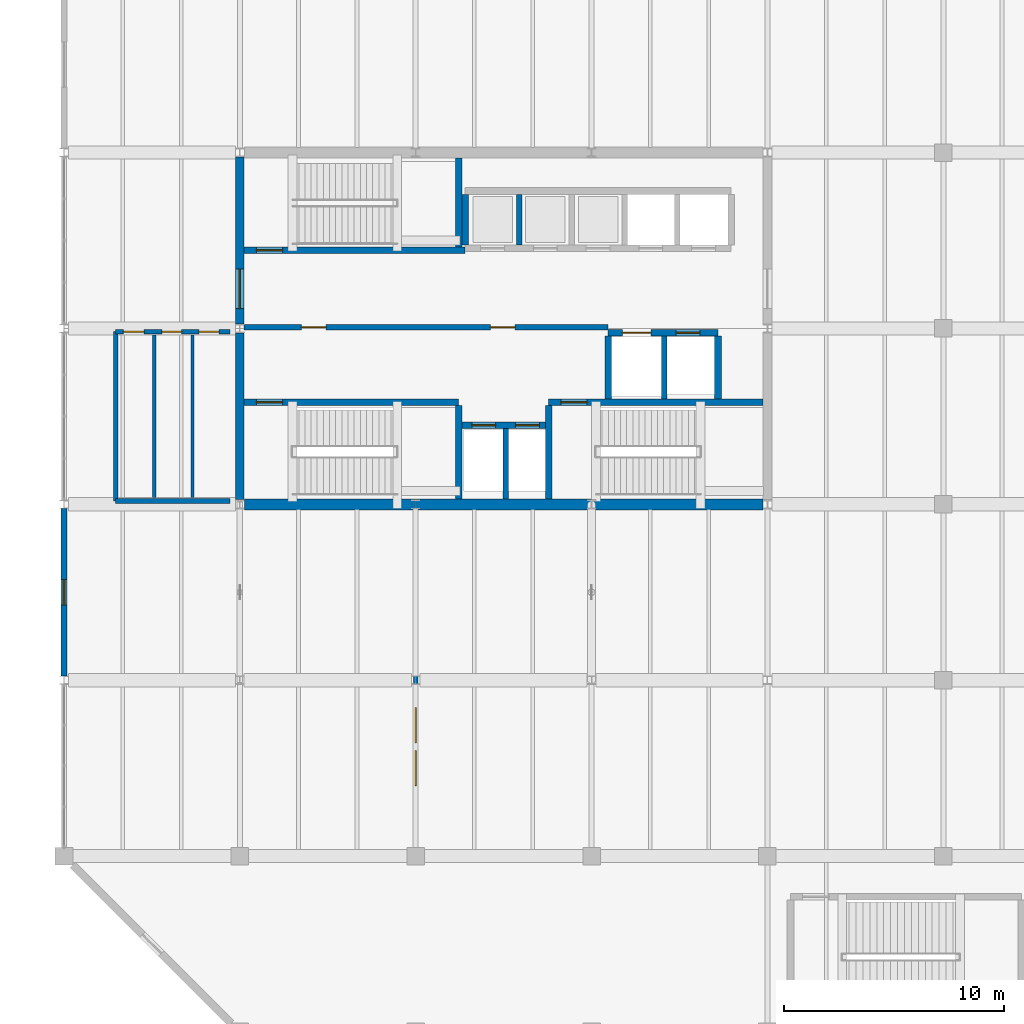
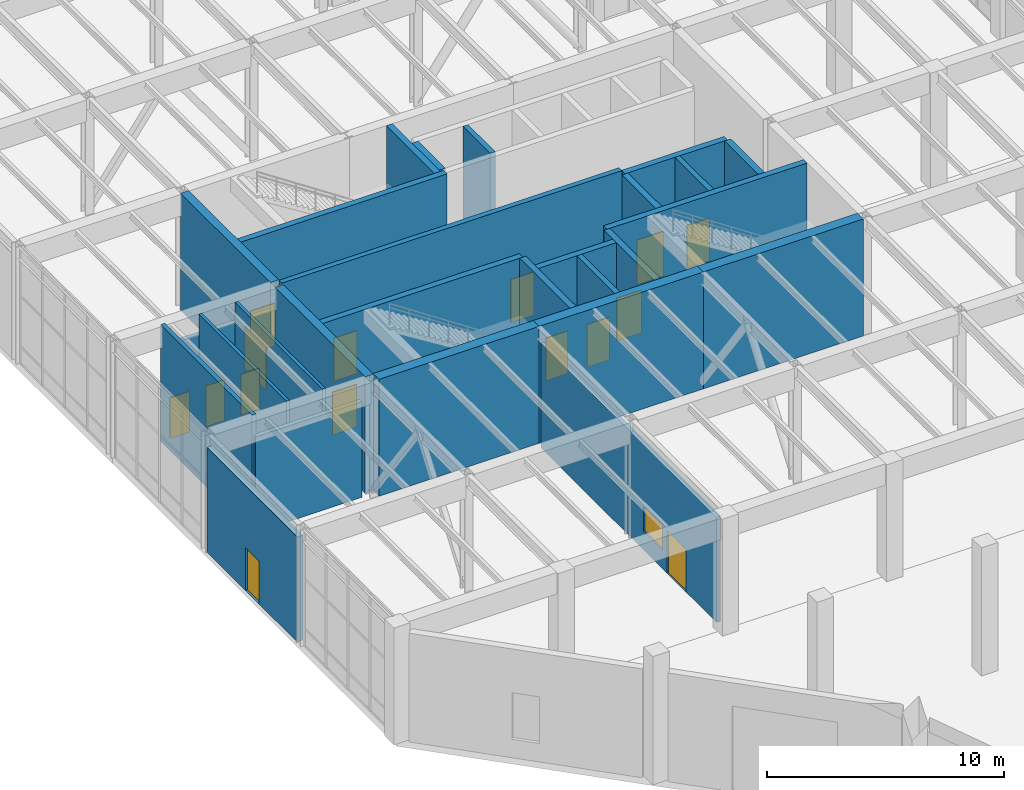
# One storey, part 34 of 51: 27 walls, 15 doors, 1 window, 16 openings.
"""IFC4 building model written with IfcOpenShell, lengths in metres."""

from ifc_helpers import new_model, si_unit, direction, frame, frame_2d, origin, place, context, subcontext, project, spatial, rectangle, extrude, material, layer, layer_set, type_object, element, fill, save


model = new_model("IFC4")

# Units and contexts
model_context = context("Model", 3, precision=1e-05, world=origin(), true_north=direction((0.0, 1.0)))
body_context = subcontext(model_context, "Body", "Model", "MODEL_VIEW")
ifc_project = project(units=[si_unit("LENGTHUNIT", "METRE"), si_unit("AREAUNIT", "SQUARE_METRE"), si_unit("VOLUMEUNIT", "CUBIC_METRE"), si_unit("PLANEANGLEUNIT", "RADIAN"), si_unit("MASSUNIT", "GRAM", prefix="KILO")], contexts=[model_context])

# Site, building, storey
site_placement = place(None, origin())
site = spatial("IfcSite", under=ifc_project, at=site_placement, CompositionType="ELEMENT")
building_placement = place(site_placement, origin())
building = spatial("IfcBuilding", under=site, at=building_placement, Name="Varnela Railside Interchange", CompositionType="ELEMENT")
storey_placement = place(building_placement, origin())
storey = spatial("IfcBuildingStorey", under=building, at=storey_placement, Name="L00", CompositionType="ELEMENT", Elevation=0.0)

# Walls
ifc_material_1 = material(Name="Gypsum acoustic board")
ifc_layer_1 = layer(ifc_material_1, 0.14990234375)
ifc_layer_set_1 = layer_set([ifc_layer_1], Name="Gypsum acoustic board")
wall_type_1 = type_object("IfcWallType", Name="Acoustic Drywall Partition IW-01", PredefinedType="PARTITIONING", material=ifc_layer_set_1)
for number, where, z_axis, x_axis, name in (
    (1, (8.10009765625, 54.300048828125, 0.0), (0.0, 0.0, 1.0), (0.0, 1.0, 0.0), "Acoustic Drywall Partition IW-01 (L00) (WL-0409)"),
    (2, (9.85009765625, 54.300048828125, 0.0), (0.0, 0.0, 1.0), (0.0, 1.0, 0.0), "Acoustic Drywall Partition IW-01 (L00) (WL-0410)"),
):
    element("IfcWall", number, at=place(storey_placement, frame(where, z_axis=z_axis, x_axis=x_axis)), inside=storey, type_object=wall_type_1, Name=name, PredefinedType="PARTITIONING", context=body_context, shape_type="SweptSolid", body=[
        extrude(rectangle(XDim=7.39990234375, YDim=0.14990234375, at=frame_2d((3.699951171875, 0.0))), origin(), (0.0, 0.0, 1.0), 6.02001953125),
    ])
ifc_material_2 = material(Name="Concrete C50", Category="concrete")
ifc_layer_2 = layer(ifc_material_2, 0.39990234375)
ifc_layer_set_2 = layer_set([ifc_layer_2], Name="Concrete C50")
wall_type_2 = type_object("IfcWallType", Name="Core Coupling Shear Wall SW-02", PredefinedType="SHEAR", material=ifc_layer_set_2)
wall_1_placement = place(storey_placement, frame((12.0, 54.2080078125, 0.0), z_axis=(0.0, 0.0, 1.0), x_axis=(0.0, 1.0, 0.0)))
element("IfcWall", 3, at=wall_1_placement, inside=storey, type_object=wall_type_2, Name="Core Coupling Shear Wall SW-02 (L00) (WL-0339)", PredefinedType="SHEAR", context=body_context, shape_type="SweptSolid", body=[
    extrude(rectangle(XDim=7.583984375, YDim=0.39990234375, at=frame_2d((3.7919921875, 0.0))), origin(), (0.0, 0.0, 1.0), 6.02001953125),
])

# Wall, opening, door
wall_2_placement = place(storey_placement, frame((12.0, 62.2080078125, 0.0), z_axis=(0.0, 0.0, 1.0), x_axis=(0.0, 1.0, 0.0)))
wall_2 = element("IfcWall", 4, at=wall_2_placement, inside=storey, type_object=wall_type_2, Name="Core Coupling Shear Wall SW-02 (L00) (WL-0340)", PredefinedType="SHEAR", context=body_context, shape_type="SweptSolid", body=[
    extrude(rectangle(XDim=7.583984375, YDim=0.39990234375, at=frame_2d((3.7919921875, 0.0))), origin(), (0.0, 0.0, 1.0), 6.02001953125),
])
opening_1_placement = place(wall_2_placement, frame((0.69189453125, 0.0, 0.0)))
opening_1 = element("IfcOpeningElement", 5, at=opening_1_placement, cuts=wall_2, Name="Opening D-153", PredefinedType="OPENING", context=body_context, shape_type="SweptSolid", body=[
    extrude(rectangle(XDim=1.800048828125, YDim=2.199951171875, at=frame_2d((0.89990234375, 1.10009765625))), frame((0.0, 0.2099609375, 0.0), z_axis=(0.0, -1.0, 0.0), x_axis=(1.0, 0.0, 0.0)), (0.0, 0.0, 1.0), 0.419921875),
])
ifc_material_3 = material(Name="Steel AR 350 (350 MPa)", Category="steel")
door_type_1 = type_object("IfcDoorType", Name="DR-DBL-1800-FD60", OperationType="DOUBLE_DOOR_SINGLE_SWING", PredefinedType="DOOR", material=ifc_material_3)
door_1_placement = place(opening_1_placement, origin())
door_1 = element("IfcDoor", 6, at=door_1_placement, inside=storey, type_object=door_type_1, Name="Door D-153", OperationType="DOUBLE_DOOR_SINGLE_SWING", OverallHeight=2.199951171875, OverallWidth=1.800048828125, PredefinedType="DOOR", context=body_context, shape_type="SweptSolid", body=[
    extrude(rectangle(XDim=1.800048828125, YDim=2.199951171875, at=frame_2d((0.89990234375, 1.10009765625))), frame((0.0, 0.02490234375, 0.0), z_axis=(0.0, -1.0, 0.0), x_axis=(1.0, 0.0, 0.0)), (0.0, 0.0, 1.0), 0.050048828125),
])
fill(opening_1, door_1)

# Walls
ifc_layer_3 = layer(ifc_material_2, 0.5)
ifc_layer_set_3 = layer_set([ifc_layer_3], Name="Concrete C50")
wall_type_3 = type_object("IfcWallType", Name="Core Primary Shear Wall SW-01", PredefinedType="SHEAR", material=ifc_layer_set_3)
wall_3_placement = place(storey_placement, frame((12.202880859375, 54.0, 0.0), z_axis=(0.0, 0.0, 1.0), x_axis=(1.0, 0.0, 0.0)))
element("IfcWall", 7, at=wall_3_placement, inside=storey, type_object=wall_type_3, Name="Core Primary Shear Wall SW-01 (L00) (WL-0330)", PredefinedType="SHEAR", context=body_context, shape_type="SweptSolid", body=[
    extrude(rectangle(XDim=7.797119140625, YDim=0.5, at=frame_2d((3.8984375, 0.0))), origin(), (0.0, 0.0, 1.0), 6.02001953125),
])
wall_4_placement = place(storey_placement, frame((20.0, 54.0, 0.0), z_axis=(0.0, 0.0, 1.0), x_axis=(1.0, 0.0, 0.0)))
element("IfcWall", 8, at=wall_4_placement, inside=storey, type_object=wall_type_3, Name="Core Primary Shear Wall SW-01 (L00) (WL-0331)", PredefinedType="SHEAR", context=body_context, shape_type="SweptSolid", body=[
    extrude(rectangle(XDim=8.0, YDim=0.5, at=frame_2d((4.0, 0.0))), origin(), (0.0, 0.0, 1.0), 6.02001953125),
])
wall_5_placement = place(storey_placement, frame((28.0, 54.0, 0.0), z_axis=(0.0, 0.0, 1.0), x_axis=(1.0, 0.0, 0.0)))
element("IfcWall", 9, at=wall_5_placement, inside=storey, type_object=wall_type_3, Name="Core Primary Shear Wall SW-01 (L00) (WL-0332)", PredefinedType="SHEAR", context=body_context, shape_type="SweptSolid", body=[
    extrude(rectangle(XDim=7.797119140625, YDim=0.5, at=frame_2d((3.8984375, 0.0))), origin(), (0.0, 0.0, 1.0), 6.02001953125),
])

# Wall, openings, door, window
ifc_layer_4 = layer(ifc_material_1, 0.179931640625)
ifc_layer_set_4 = layer_set([ifc_layer_4], Name="Gypsum acoustic board")
wall_type_4 = type_object("IfcWallType", Name="Double-Stud Corridor Wall IW-02", PredefinedType="PARTITIONING", material=ifc_layer_set_4)
wall_6_placement = place(storey_placement, frame((20.0, 38.60009765625, 0.0), z_axis=(0.0, 0.0, 1.0), x_axis=(0.0, 1.0, 0.0)))
wall_6 = element("IfcWall", 10, at=wall_6_placement, inside=storey, type_object=wall_type_4, Name="Double-Stud Corridor Wall IW-02 (L00) (WL-0406)", PredefinedType="PARTITIONING", context=body_context, shape_type="SweptSolid", body=[
    extrude(rectangle(XDim=14.7998046875, YDim=0.199951171875, at=frame_2d((7.39990234375, 0.0))), origin(), (0.0, 0.0, 1.0), 5.407958984375),
])
opening_2_placement = place(wall_6_placement, frame((2.60009765625, 0.0, 0.0)))
opening_2 = element("IfcOpeningElement", 11, at=opening_2_placement, cuts=wall_6, Name="Opening D-179", PredefinedType="OPENING", context=body_context, shape_type="SweptSolid", body=[
    extrude(rectangle(XDim=1.60009765625, YDim=2.199951171875, at=frame_2d((0.800048828125, 1.10009765625))), frame((0.0, 0.10986328125, 0.0), z_axis=(0.0, -1.0, 0.0), x_axis=(1.0, 0.0, 0.0)), (0.0, 0.0, 1.0), 0.219970703125),
])
opening_3_placement = place(wall_6_placement, frame((4.550048828125, 0.0, 0.949951171875)))
opening_3 = element("IfcOpeningElement", 12, at=opening_3_placement, cuts=wall_6, Name="Opening IW-005", PredefinedType="OPENING", context=body_context, shape_type="SweptSolid", body=[
    extrude(rectangle(XDim=1.60009765625, YDim=1.300048828125, at=frame_2d((0.800048828125, 0.64990234375))), frame((0.0, 0.10986328125, 0.0), z_axis=(0.0, -1.0, 0.0), x_axis=(1.0, 0.0, 0.0)), (0.0, 0.0, 1.0), 0.219970703125),
])
ifc_material_4 = material(Name="Glass laminated double", Category="glass")
door_type_2 = type_object("IfcDoorType", Name="DR-DBL-1600", OperationType="DOUBLE_DOOR_SINGLE_SWING", PredefinedType="DOOR", material=ifc_material_4)
door_2_placement = place(opening_2_placement, origin())
door_2 = element("IfcDoor", 13, at=door_2_placement, inside=storey, type_object=door_type_2, Name="Door D-179", OperationType="DOUBLE_DOOR_SINGLE_SWING", OverallHeight=2.199951171875, OverallWidth=1.60009765625, PredefinedType="DOOR", context=body_context, shape_type="SweptSolid", body=[
    extrude(rectangle(XDim=1.60009765625, YDim=2.199951171875, at=frame_2d((0.800048828125, 1.10009765625))), frame((0.0, 0.02490234375, 0.0), z_axis=(0.0, -1.0, 0.0), x_axis=(1.0, 0.0, 0.0)), (0.0, 0.0, 1.0), 0.050048828125),
])
fill(opening_2, door_2)
window_type = type_object("IfcWindowType", Name="Interior Acoustic Vision Window IW-WN1", PartitioningType="SINGLE_PANEL", PredefinedType="WINDOW", material=ifc_material_4)
window_placement = place(opening_3_placement, origin())
window = element("IfcWindow", 14, at=window_placement, inside=storey, type_object=window_type, Name="Window IW-005", OverallHeight=1.300048828125, OverallWidth=1.60009765625, PartitioningType="SINGLE_PANEL", PredefinedType="WINDOW", context=body_context, shape_type="SweptSolid", body=[
    extrude(rectangle(XDim=1.60009765625, YDim=1.300048828125, at=frame_2d((0.800048828125, 0.64990234375))), frame((0.0, 0.030029296875, 0.0), z_axis=(0.0, -1.0, 0.0), x_axis=(1.0, 0.0, 0.0)), (0.0, 0.0, 1.0), 0.06005859375),
])
fill(opening_3, window)

# Wall, opening, door
ifc_material_5 = material(Name="Concrete C40 precast", Category="concrete")
ifc_layer_5 = layer(ifc_material_5, 0.280029296875)
ifc_layer_set_5 = layer_set([ifc_layer_5], Name="Concrete C40 precast")
wall_type_5 = type_object("IfcWallType", Name="Ribbed Precast Concrete Facade Wall EW-02", PredefinedType="STANDARD", material=ifc_layer_set_5)
wall_7_placement = place(storey_placement, frame((4.0, 46.199462890625, 0.0), z_axis=(0.0, 0.0, 1.0), x_axis=(0.0, 1.0, 0.0)))
wall_7 = element("IfcWall", 15, at=wall_7_placement, inside=storey, type_object=wall_type_5, Name="Ribbed Precast Concrete Facade Wall EW-02 (L00) (WL-0382)", PredefinedType="STANDARD", context=body_context, shape_type="SweptSolid", body=[
    extrude(rectangle(XDim=7.60107421875, YDim=0.280029296875, at=frame_2d((3.800537109375, 0.0))), origin(), (0.0, 0.0, 1.0), 5.407958984375),
])
opening_4_placement = place(wall_7_placement, frame((3.2255859375, 0.0, 0.0)))
opening_4 = element("IfcOpeningElement", 16, at=opening_4_placement, cuts=wall_7, Name="Opening D-003", PredefinedType="OPENING", context=body_context, shape_type="SweptSolid", body=[
    extrude(rectangle(XDim=1.14990234375, YDim=2.199951171875, at=frame_2d((0.574951171875, 1.10009765625))), frame((0.0, 0.14990234375, 0.0), z_axis=(0.0, -1.0, 0.0), x_axis=(1.0, 0.0, 0.0)), (0.0, 0.0, 1.0), 0.300048828125),
])
door_type_3 = type_object("IfcDoorType", Name="Perimeter Fire Exit Single Door ED-07", OperationType="SINGLE_SWING_LEFT", PredefinedType="DOOR", material=ifc_material_3)
door_3_placement = place(opening_4_placement, origin())
door_3 = element("IfcDoor", 17, at=door_3_placement, inside=storey, type_object=door_type_3, Name="Door D-003", OperationType="SINGLE_SWING_LEFT", OverallHeight=2.199951171875, OverallWidth=1.14990234375, PredefinedType="DOOR", context=body_context, shape_type="SweptSolid", body=[
    extrude(rectangle(XDim=1.14990234375, YDim=2.199951171875, at=frame_2d((0.574951171875, 1.10009765625))), frame((0.0, 0.02490234375, 0.0), z_axis=(0.0, -1.0, 0.0), x_axis=(1.0, 0.0, 0.0)), (0.0, 0.0, 1.0), 0.050048828125),
])
fill(opening_4, door_3)

# Wall, openings, doors
ifc_material_6 = material(Name="Masonry concrete block", Category="masonry")
ifc_layer_6 = layer(ifc_material_6, 0.2099609375)
ifc_layer_set_6 = layer_set([ifc_layer_6], Name="Masonry concrete block")
wall_type_6 = type_object("IfcWallType", Name="Sanitary Plumbing Chase Wall IW-04", PredefinedType="PLUMBINGWALL", material=ifc_layer_set_6)
wall_8_placement = place(storey_placement, frame((6.35009765625, 61.85009765625, 0.0), z_axis=(0.0, 0.0, 1.0), x_axis=(1.0, 0.0, 0.0)))
wall_8 = element("IfcWall", 18, at=wall_8_placement, inside=storey, type_object=wall_type_6, Name="Sanitary Plumbing Chase Wall IW-04 (L00) (WL-0411)", PredefinedType="PLUMBINGWALL", context=body_context, shape_type="SweptSolid", body=[
    extrude(rectangle(XDim=5.199951171875, YDim=0.2099609375, at=frame_2d((2.60009765625, 0.0))), origin(), (0.0, 0.0, 1.0), 4.919921875),
])
opening_5_placement = place(wall_8_placement, frame((0.35009765625, 0.0, 0.0)))
opening_5 = element("IfcOpeningElement", 19, at=opening_5_placement, cuts=wall_8, Name="Opening D-167", PredefinedType="OPENING", context=body_context, shape_type="SweptSolid", body=[
    extrude(rectangle(XDim=0.949951171875, YDim=2.10009765625, at=frame_2d((0.47509765625, 1.050048828125))), frame((0.0, 0.114990234375, 0.0), z_axis=(0.0, -1.0, 0.0), x_axis=(1.0, 0.0, 0.0)), (0.0, 0.0, 1.0), 0.22998046875),
])
opening_6_placement = place(wall_8_placement, frame((2.10009765625, 0.0, 0.0)))
opening_6 = element("IfcOpeningElement", 20, at=opening_6_placement, cuts=wall_8, Name="Opening D-168", PredefinedType="OPENING", context=body_context, shape_type="SweptSolid", body=[
    extrude(rectangle(XDim=0.89990234375, YDim=2.10009765625, at=frame_2d((0.449951171875, 1.050048828125))), frame((0.0, 0.114990234375, 0.0), z_axis=(0.0, -1.0, 0.0), x_axis=(1.0, 0.0, 0.0)), (0.0, 0.0, 1.0), 0.22998046875),
])
opening_7_placement = place(wall_8_placement, frame((3.800048828125, 0.0, 0.0)))
opening_7 = element("IfcOpeningElement", 21, at=opening_7_placement, cuts=wall_8, Name="Opening D-169", PredefinedType="OPENING", context=body_context, shape_type="SweptSolid", body=[
    extrude(rectangle(XDim=0.89990234375, YDim=2.10009765625, at=frame_2d((0.449951171875, 1.050048828125))), frame((0.0, 0.114990234375, 0.0), z_axis=(0.0, -1.0, 0.0), x_axis=(1.0, 0.0, 0.0)), (0.0, 0.0, 1.0), 0.22998046875),
])
ifc_material_7 = material(Name="Timber solid core", Category="wood")
door_type_4 = type_object("IfcDoorType", Name="DR-SGL-900", OperationType="NOTDEFINED", PredefinedType="DOOR", material=ifc_material_7)
door_4_placement = place(opening_6_placement, origin())
door_4 = element("IfcDoor", 22, at=door_4_placement, inside=storey, type_object=door_type_4, Name="Door D-168", OperationType="SINGLE_SWING_LEFT", OverallHeight=2.10009765625, OverallWidth=0.89990234375, PredefinedType="DOOR", context=body_context, shape_type="SweptSolid", body=[
    extrude(rectangle(XDim=0.89990234375, YDim=2.10009765625, at=frame_2d((0.449951171875, 1.050048828125))), frame((0.0, 0.02490234375, 0.0), z_axis=(0.0, -1.0, 0.0), x_axis=(1.0, 0.0, 0.0)), (0.0, 0.0, 1.0), 0.050048828125),
])
fill(opening_6, door_4)
door_5_placement = place(opening_7_placement, origin())
door_5 = element("IfcDoor", 23, at=door_5_placement, inside=storey, type_object=door_type_4, Name="Door D-169", OperationType="SINGLE_SWING_RIGHT", OverallHeight=2.10009765625, OverallWidth=0.89990234375, PredefinedType="DOOR", context=body_context, shape_type="SweptSolid", body=[
    extrude(rectangle(XDim=0.89990234375, YDim=2.10009765625, at=frame_2d((0.449951171875, 1.050048828125))), frame((0.0, 0.02490234375, 0.0), z_axis=(0.0, -1.0, 0.0), x_axis=(1.0, 0.0, 0.0)), (0.0, 0.0, 1.0), 0.050048828125),
])
fill(opening_7, door_5)
door_type_5 = type_object("IfcDoorType", Name="DR-SGL-950-ACC", OperationType="NOTDEFINED", PredefinedType="DOOR", material=ifc_material_7)
door_6_placement = place(opening_5_placement, origin())
door_6 = element("IfcDoor", 24, at=door_6_placement, inside=storey, type_object=door_type_5, Name="Door D-167", OperationType="SINGLE_SWING_RIGHT", OverallHeight=2.10009765625, OverallWidth=0.949951171875, PredefinedType="DOOR", context=body_context, shape_type="SweptSolid", body=[
    extrude(rectangle(XDim=0.949951171875, YDim=2.10009765625, at=frame_2d((0.47509765625, 1.050048828125))), frame((0.0, 0.02490234375, 0.0), z_axis=(0.0, -1.0, 0.0), x_axis=(1.0, 0.0, 0.0)), (0.0, 0.0, 1.0), 0.050048828125),
])
fill(opening_5, door_6)

# Walls
wall_9_placement = place(storey_placement, frame((6.35009765625, 54.14990234375, 0.0), z_axis=(0.0, 0.0, 1.0), x_axis=(1.0, 0.0, 0.0)))
element("IfcWall", 25, at=wall_9_placement, inside=storey, type_object=wall_type_6, Name="Sanitary Plumbing Chase Wall IW-04 (L00) (WL-0412)", PredefinedType="PLUMBINGWALL", context=body_context, shape_type="SweptSolid", body=[
    extrude(rectangle(XDim=5.199951171875, YDim=0.2099609375, at=frame_2d((2.60009765625, 0.0))), origin(), (0.0, 0.0, 1.0), 4.919921875),
])
wall_10_placement = place(storey_placement, frame((6.35009765625, 54.14990234375, 0.0), z_axis=(0.0, 0.0, 1.0), x_axis=(0.0, 1.0, 0.0)))
element("IfcWall", 26, at=wall_10_placement, inside=storey, type_object=wall_type_6, Name="Sanitary Plumbing Chase Wall IW-04 (L00) (WL-0413)", PredefinedType="PLUMBINGWALL", context=body_context, shape_type="SweptSolid", body=[
    extrude(rectangle(XDim=7.7001953125, YDim=0.2099609375, at=frame_2d((3.85009765625, 0.0))), origin(), (0.0, 0.0, 1.0), 6.02001953125),
])

# Wall, opening, door
ifc_layer_7 = layer(ifc_material_2, 0.300048828125)
ifc_layer_set_7 = layer_set([ifc_layer_7], Name="Concrete C50")
wall_type_7 = type_object("IfcWallType", Name="Stair & Lift Shaft Wall SW-03", PredefinedType="SHEAR", material=ifc_layer_set_7)
wall_11_placement = place(storey_placement, frame((12.199951171875, 58.64990234375, 0.0), z_axis=(0.0, 0.0, 1.0), x_axis=(1.0, 0.0, 0.0)))
wall_11 = element("IfcWall", 27, at=wall_11_placement, inside=storey, type_object=wall_type_7, Name="Stair & Lift Shaft Wall SW-03 (L00) (WL-0334)", PredefinedType="SHEAR", context=body_context, shape_type="SweptSolid", body=[
    extrude(rectangle(XDim=9.75, YDim=0.300048828125, at=frame_2d((4.875, 0.0))), origin(), (0.0, 0.0, 1.0), 6.02001953125),
])
opening_8_placement = place(wall_11_placement, frame((0.550048828125, 0.0, 0.0)))
opening_8 = element("IfcOpeningElement", 28, at=opening_8_placement, cuts=wall_11, Name="Opening D-148", PredefinedType="OPENING", context=body_context, shape_type="SweptSolid", body=[
    extrude(rectangle(XDim=1.199951171875, YDim=2.199951171875, at=frame_2d((0.60009765625, 1.10009765625))), frame((0.0, 0.159912109375, 0.0), z_axis=(0.0, -1.0, 0.0), x_axis=(1.0, 0.0, 0.0)), (0.0, 0.0, 1.0), 0.320068359375),
])
door_type_6 = type_object("IfcDoorType", Name="DR-SGL-1200-FD90", OperationType="NOTDEFINED", PredefinedType="DOOR", material=ifc_material_3)
door_7_placement = place(opening_8_placement, origin())
door_7 = element("IfcDoor", 29, at=door_7_placement, inside=storey, type_object=door_type_6, Name="Door D-148", OperationType="SINGLE_SWING_LEFT", OverallHeight=2.199951171875, OverallWidth=1.199951171875, PredefinedType="DOOR", context=body_context, shape_type="SweptSolid", body=[
    extrude(rectangle(XDim=1.199951171875, YDim=2.199951171875, at=frame_2d((0.60009765625, 1.10009765625))), frame((0.0, 0.02490234375, 0.0), z_axis=(0.0, -1.0, 0.0), x_axis=(1.0, 0.0, 0.0)), (0.0, 0.0, 1.0), 0.050048828125),
])
fill(opening_8, door_7)

# Wall
wall_12_placement = place(storey_placement, frame((21.949951171875, 54.25, 0.0), z_axis=(0.0, 0.0, 1.0), x_axis=(0.0, 1.0, 0.0)))
element("IfcWall", 30, at=wall_12_placement, inside=storey, type_object=wall_type_7, Name="Stair & Lift Shaft Wall SW-03 (L00) (WL-0333)", PredefinedType="SHEAR", context=body_context, shape_type="SweptSolid", body=[
    extrude(rectangle(XDim=4.25, YDim=0.300048828125, at=frame_2d((2.125, 0.0))), origin(), (0.0, 0.0, 1.0), 6.02001953125),
])

# Wall, opening, door
wall_13_placement = place(storey_placement, frame((26.050048828125, 58.64990234375, 0.0), z_axis=(0.0, 0.0, 1.0), x_axis=(1.0, 0.0, 0.0)))
wall_13 = element("IfcWall", 31, at=wall_13_placement, inside=storey, type_object=wall_type_7, Name="Stair & Lift Shaft Wall SW-03 (L00) (WL-0335)", PredefinedType="SHEAR", context=body_context, shape_type="SweptSolid", body=[
    extrude(rectangle(XDim=9.75, YDim=0.300048828125, at=frame_2d((4.875, 0.0))), origin(), (0.0, 0.0, 1.0), 6.02001953125),
])
opening_9_placement = place(wall_13_placement, frame((0.550048828125, 0.0, 0.0)))
opening_9 = element("IfcOpeningElement", 32, at=opening_9_placement, cuts=wall_13, Name="Opening D-149", PredefinedType="OPENING", context=body_context, shape_type="SweptSolid", body=[
    extrude(rectangle(XDim=1.199951171875, YDim=2.199951171875, at=frame_2d((0.60009765625, 1.10009765625))), frame((0.0, 0.159912109375, 0.0), z_axis=(0.0, -1.0, 0.0), x_axis=(1.0, 0.0, 0.0)), (0.0, 0.0, 1.0), 0.320068359375),
])
door_8_placement = place(opening_9_placement, origin())
door_8 = element("IfcDoor", 33, at=door_8_placement, inside=storey, type_object=door_type_6, Name="Door D-149", OperationType="SINGLE_SWING_RIGHT", OverallHeight=2.199951171875, OverallWidth=1.199951171875, PredefinedType="DOOR", context=body_context, shape_type="SweptSolid", body=[
    extrude(rectangle(XDim=1.199951171875, YDim=2.199951171875, at=frame_2d((0.60009765625, 1.10009765625))), frame((0.0, 0.02490234375, 0.0), z_axis=(0.0, -1.0, 0.0), x_axis=(1.0, 0.0, 0.0)), (0.0, 0.0, 1.0), 0.050048828125),
])
fill(opening_9, door_8)

# Wall
wall_14_placement = place(storey_placement, frame((26.050048828125, 54.25, 0.0), z_axis=(0.0, 0.0, 1.0), x_axis=(0.0, 1.0, 0.0)))
element("IfcWall", 34, at=wall_14_placement, inside=storey, type_object=wall_type_7, Name="Stair & Lift Shaft Wall SW-03 (L00) (WL-0336)", PredefinedType="SHEAR", context=body_context, shape_type="SweptSolid", body=[
    extrude(rectangle(XDim=4.25, YDim=0.300048828125, at=frame_2d((2.125, 0.0))), origin(), (0.0, 0.0, 1.0), 6.02001953125),
])

# Wall, openings, doors
wall_15_placement = place(storey_placement, frame((22.10009765625, 57.60009765625, 0.0), z_axis=(0.0, 0.0, 1.0), x_axis=(1.0, 0.0, 0.0)))
wall_15 = element("IfcWall", 35, at=wall_15_placement, inside=storey, type_object=wall_type_7, Name="Stair & Lift Shaft Wall SW-03 (L00) (WL-0314)", PredefinedType="SHEAR", context=body_context, shape_type="SweptSolid", body=[
    extrude(rectangle(XDim=3.949951171875, YDim=0.300048828125, at=frame_2d((1.97509765625, 0.0))), origin(), (0.0, 0.0, 1.0), 6.02001953125),
])
opening_10_placement = place(wall_15_placement, frame((0.449951171875, 0.0, 0.0)))
opening_10 = element("IfcOpeningElement", 36, at=opening_10_placement, cuts=wall_15, Name="Opening LD-019", PredefinedType="OPENING", context=body_context, shape_type="SweptSolid", body=[
    extrude(rectangle(XDim=1.080078125, YDim=2.199951171875, at=frame_2d((0.5400390625, 1.10009765625))), frame((0.0, 0.159912109375, 0.0), z_axis=(0.0, -1.0, 0.0), x_axis=(1.0, 0.0, 0.0)), (0.0, 0.0, 1.0), 0.320068359375),
])
opening_11_placement = place(wall_15_placement, frame((2.449951171875, 0.0, 0.0)))
opening_11 = element("IfcOpeningElement", 37, at=opening_11_placement, cuts=wall_15, Name="Opening LD-020", PredefinedType="OPENING", context=body_context, shape_type="SweptSolid", body=[
    extrude(rectangle(XDim=1.080078125, YDim=2.199951171875, at=frame_2d((0.5400390625, 1.10009765625))), frame((0.0, 0.159912109375, 0.0), z_axis=(0.0, -1.0, 0.0), x_axis=(1.0, 0.0, 0.0)), (0.0, 0.0, 1.0), 0.320068359375),
])
door_type_7 = type_object("IfcDoorType", Name="DR-LIFT-1080", OperationType="SLIDING_TO_LEFT", PredefinedType="DOOR", material=ifc_material_3)
door_9_placement = place(opening_10_placement, origin())
door_9 = element("IfcDoor", 38, at=door_9_placement, inside=storey, type_object=door_type_7, Name="Door LD-019", OperationType="SLIDING_TO_LEFT", OverallHeight=2.199951171875, OverallWidth=1.080078125, PredefinedType="DOOR", context=body_context, shape_type="SweptSolid", body=[
    extrude(rectangle(XDim=1.080078125, YDim=2.199951171875, at=frame_2d((0.5400390625, 1.10009765625))), frame((0.0, 0.02490234375, 0.0), z_axis=(0.0, -1.0, 0.0), x_axis=(1.0, 0.0, 0.0)), (0.0, 0.0, 1.0), 0.050048828125),
])
fill(opening_10, door_9)
door_10_placement = place(opening_11_placement, origin())
door_10 = element("IfcDoor", 39, at=door_10_placement, inside=storey, type_object=door_type_7, Name="Door LD-020", OperationType="SLIDING_TO_LEFT", OverallHeight=2.199951171875, OverallWidth=1.080078125, PredefinedType="DOOR", context=body_context, shape_type="SweptSolid", body=[
    extrude(rectangle(XDim=1.080078125, YDim=2.199951171875, at=frame_2d((0.5400390625, 1.10009765625))), frame((0.0, 0.02490234375, 0.0), z_axis=(0.0, -1.0, 0.0), x_axis=(1.0, 0.0, 0.0)), (0.0, 0.0, 1.0), 0.050048828125),
])
fill(opening_11, door_10)

# Wall
wall_16_placement = place(storey_placement, frame((24.10009765625, 54.25, 0.0), z_axis=(0.0, 0.0, 1.0), x_axis=(0.0, 1.0, 0.0)))
element("IfcWall", 40, at=wall_16_placement, inside=storey, type_object=wall_type_7, Name="Stair & Lift Shaft Wall SW-03 (L00) (WL-0313)", PredefinedType="SHEAR", context=body_context, shape_type="SweptSolid", body=[
    extrude(rectangle(XDim=3.199951171875, YDim=0.25, at=frame_2d((1.60009765625, 0.0))), origin(), (0.0, 0.0, 1.0), 6.02001953125),
])

# Wall, openings, doors
wall_17_placement = place(storey_placement, frame((28.75, 61.800048828125, 0.0), z_axis=(0.0, 0.0, 1.0), x_axis=(1.0, 0.0, 0.0)))
wall_17 = element("IfcWall", 41, at=wall_17_placement, inside=storey, type_object=wall_type_7, Name="Stair & Lift Shaft Wall SW-03 (L00) (WL-0317)", PredefinedType="SHEAR", context=body_context, shape_type="SweptSolid", body=[
    extrude(rectangle(XDim=5.0, YDim=0.300048828125, at=frame_2d((2.5, 0.0))), origin(), (0.0, 0.0, 1.0), 6.02001953125),
])
opening_12_placement = place(wall_17_placement, frame((0.64990234375, 0.0, 0.0)))
opening_12 = element("IfcOpeningElement", 42, at=opening_12_placement, cuts=wall_17, Name="Opening LD-021", PredefinedType="OPENING", context=body_context, shape_type="SweptSolid", body=[
    extrude(rectangle(XDim=1.300048828125, YDim=2.300048828125, at=frame_2d((0.64990234375, 1.14990234375))), frame((0.0, 0.159912109375, 0.0), z_axis=(0.0, -1.0, 0.0), x_axis=(1.0, 0.0, 0.0)), (0.0, 0.0, 1.0), 0.320068359375),
])
opening_13_placement = place(wall_17_placement, frame((3.10009765625, 0.0, 0.0)))
opening_13 = element("IfcOpeningElement", 43, at=opening_13_placement, cuts=wall_17, Name="Opening LD-022", PredefinedType="OPENING", context=body_context, shape_type="SweptSolid", body=[
    extrude(rectangle(XDim=1.080078125, YDim=2.199951171875, at=frame_2d((0.5400390625, 1.10009765625))), frame((0.0, 0.159912109375, 0.0), z_axis=(0.0, -1.0, 0.0), x_axis=(1.0, 0.0, 0.0)), (0.0, 0.0, 1.0), 0.320068359375),
])
door_11_placement = place(opening_13_placement, origin())
door_11 = element("IfcDoor", 44, at=door_11_placement, inside=storey, type_object=door_type_7, Name="Door LD-022", OperationType="SLIDING_TO_LEFT", OverallHeight=2.199951171875, OverallWidth=1.080078125, PredefinedType="DOOR", context=body_context, shape_type="SweptSolid", body=[
    extrude(rectangle(XDim=1.080078125, YDim=2.199951171875, at=frame_2d((0.5400390625, 1.10009765625))), frame((0.0, 0.02490234375, 0.0), z_axis=(0.0, -1.0, 0.0), x_axis=(1.0, 0.0, 0.0)), (0.0, 0.0, 1.0), 0.050048828125),
])
fill(opening_13, door_11)
door_type_8 = type_object("IfcDoorType", Name="DR-LIFT-1300", OperationType="SLIDING_TO_LEFT", PredefinedType="DOOR", material=ifc_material_3)
door_12_placement = place(opening_12_placement, origin())
door_12 = element("IfcDoor", 45, at=door_12_placement, inside=storey, type_object=door_type_8, Name="Door LD-021", OperationType="SLIDING_TO_LEFT", OverallHeight=2.300048828125, OverallWidth=1.300048828125, PredefinedType="DOOR", context=body_context, shape_type="SweptSolid", body=[
    extrude(rectangle(XDim=1.300048828125, YDim=2.300048828125, at=frame_2d((0.64990234375, 1.14990234375))), frame((0.0, 0.02490234375, 0.0), z_axis=(0.0, -1.0, 0.0), x_axis=(1.0, 0.0, 0.0)), (0.0, 0.0, 1.0), 0.050048828125),
])
fill(opening_12, door_12)

# Walls
for number, where, z_axis, x_axis, name in (
    (46, (28.75, 58.800048828125, 0.0), (0.0, 0.0, 1.0), (0.0, 1.0, 0.0), "Stair & Lift Shaft Wall SW-03 (L00) (WL-0318)"),
    (47, (33.75, 58.800048828125, 0.0), (0.0, 0.0, 1.0), (0.0, 1.0, 0.0), "Stair & Lift Shaft Wall SW-03 (L00) (WL-0316)"),
):
    element("IfcWall", number, at=place(storey_placement, frame(where, z_axis=z_axis, x_axis=x_axis)), inside=storey, type_object=wall_type_7, Name=name, PredefinedType="SHEAR", context=body_context, shape_type="SweptSolid", body=[
        extrude(rectangle(XDim=2.849853515625, YDim=0.300048828125, at=frame_2d((1.4248046875, 0.0))), origin(), (0.0, 0.0, 1.0), 6.02001953125),
    ])
wall_18_placement = place(storey_placement, frame((31.300048828125, 58.800048828125, 0.0), z_axis=(0.0, 0.0, 1.0), x_axis=(0.0, 1.0, 0.0)))
element("IfcWall", 48, at=wall_18_placement, inside=storey, type_object=wall_type_7, Name="Stair & Lift Shaft Wall SW-03 (L00) (WL-0315)", PredefinedType="SHEAR", context=body_context, shape_type="SweptSolid", body=[
    extrude(rectangle(XDim=2.849853515625, YDim=0.25, at=frame_2d((1.4248046875, 0.0))), origin(), (0.0, 0.0, 1.0), 6.02001953125),
])

# Wall, openings, doors
wall_19_placement = place(storey_placement, frame((12.199951171875, 62.050048828125, 0.0), z_axis=(0.0, 0.0, 1.0), x_axis=(1.0, 0.0, 0.0)))
wall_19 = element("IfcWall", 49, at=wall_19_placement, inside=storey, type_object=wall_type_7, Name="Stair & Lift Shaft Wall SW-03 (L00) (WL-0312)", PredefinedType="SHEAR", context=body_context, shape_type="SweptSolid", body=[
    extrude(rectangle(XDim=16.550048828125, YDim=0.25, at=frame_2d((8.27490234375, 0.0))), origin(), (0.0, 0.0, 1.0), 6.02001953125),
])
opening_14_placement = place(wall_19_placement, frame((2.60009765625, 0.0, 0.0)))
opening_14 = element("IfcOpeningElement", 50, at=opening_14_placement, cuts=wall_19, Name="Opening D-151", PredefinedType="OPENING", context=body_context, shape_type="SweptSolid", body=[
    extrude(rectangle(XDim=1.1201171875, YDim=2.219970703125, at=frame_2d((0.56005859375, 1.10986328125))), frame((0.0, 0.135009765625, 0.0), z_axis=(0.0, -1.0, 0.0), x_axis=(1.0, 0.0, 0.0)), (0.0, 0.0, 1.0), 0.27001953125),
])
opening_15_placement = place(wall_19_placement, frame((11.199951171875, 0.0, 0.0)))
opening_15 = element("IfcOpeningElement", 51, at=opening_15_placement, cuts=wall_19, Name="Opening D-152", PredefinedType="OPENING", context=body_context, shape_type="SweptSolid", body=[
    extrude(rectangle(XDim=1.1201171875, YDim=2.219970703125, at=frame_2d((0.56005859375, 1.10986328125))), frame((0.0, 0.135009765625, 0.0), z_axis=(0.0, -1.0, 0.0), x_axis=(1.0, 0.0, 0.0)), (0.0, 0.0, 1.0), 0.27001953125),
])
door_type_9 = type_object("IfcDoorType", Name="DR-SGL-1120-FD90", OperationType="NOTDEFINED", PredefinedType="DOOR", material=ifc_material_3)
door_13_placement = place(opening_14_placement, origin())
door_13 = element("IfcDoor", 52, at=door_13_placement, inside=storey, type_object=door_type_9, Name="Door D-151", OperationType="SINGLE_SWING_RIGHT", OverallHeight=2.219970703125, OverallWidth=1.1201171875, PredefinedType="DOOR", context=body_context, shape_type="SweptSolid", body=[
    extrude(rectangle(XDim=1.1201171875, YDim=2.219970703125, at=frame_2d((0.56005859375, 1.10986328125))), frame((0.0, 0.02490234375, 0.0), z_axis=(0.0, -1.0, 0.0), x_axis=(1.0, 0.0, 0.0)), (0.0, 0.0, 1.0), 0.050048828125),
])
fill(opening_14, door_13)
door_14_placement = place(opening_15_placement, origin())
door_14 = element("IfcDoor", 53, at=door_14_placement, inside=storey, type_object=door_type_9, Name="Door D-152", OperationType="SINGLE_SWING_LEFT", OverallHeight=2.219970703125, OverallWidth=1.1201171875, PredefinedType="DOOR", context=body_context, shape_type="SweptSolid", body=[
    extrude(rectangle(XDim=1.1201171875, YDim=2.219970703125, at=frame_2d((0.56005859375, 1.10986328125))), frame((0.0, 0.02490234375, 0.0), z_axis=(0.0, -1.0, 0.0), x_axis=(1.0, 0.0, 0.0)), (0.0, 0.0, 1.0), 0.050048828125),
])
fill(opening_15, door_14)

# Wall, opening, door
wall_20_placement = place(storey_placement, frame((12.199951171875, 65.550048828125, 0.0), z_axis=(0.0, 0.0, 1.0), x_axis=(1.0, 0.0, 0.0)))
wall_20 = element("IfcWall", 54, at=wall_20_placement, inside=storey, type_object=wall_type_7, Name="Stair & Lift Shaft Wall SW-03 (L00) (WL-0338)", PredefinedType="SHEAR", context=body_context, shape_type="SweptSolid", body=[
    extrude(rectangle(XDim=10.050048828125, YDim=0.300048828125, at=frame_2d((5.02490234375, 0.0))), origin(), (0.0, 0.0, 1.0), 6.02001953125),
])
opening_16_placement = place(wall_20_placement, frame((0.550048828125, 0.0, 0.0)))
opening_16 = element("IfcOpeningElement", 55, at=opening_16_placement, cuts=wall_20, Name="Opening D-150", PredefinedType="OPENING", context=body_context, shape_type="SweptSolid", body=[
    extrude(rectangle(XDim=1.199951171875, YDim=2.199951171875, at=frame_2d((0.60009765625, 1.10009765625))), frame((0.0, 0.159912109375, 0.0), z_axis=(0.0, -1.0, 0.0), x_axis=(1.0, 0.0, 0.0)), (0.0, 0.0, 1.0), 0.320068359375),
])
door_15_placement = place(opening_16_placement, frame((1.199951171875, 0.0, 0.0), z_axis=(0.0, 0.0, 1.0), x_axis=(-1.0, 0.0, 0.0)))
door_15 = element("IfcDoor", 56, at=door_15_placement, inside=storey, type_object=door_type_6, Name="Door D-150", OperationType="SINGLE_SWING_LEFT", OverallHeight=2.199951171875, OverallWidth=1.199951171875, PredefinedType="DOOR", context=body_context, shape_type="SweptSolid", body=[
    extrude(rectangle(XDim=1.199951171875, YDim=2.199951171875, at=frame_2d((0.60009765625, 1.10009765625))), frame((0.0, 0.02490234375, 0.0), z_axis=(0.0, -1.0, 0.0), x_axis=(1.0, 0.0, 0.0)), (0.0, 0.0, 1.0), 0.050048828125),
])
fill(opening_16, door_15)

# Walls
wall_21_placement = place(storey_placement, frame((21.949951171875, 65.699951171875, 0.0), z_axis=(0.0, 0.0, 1.0), x_axis=(0.0, 1.0, 0.0)))
element("IfcWall", 57, at=wall_21_placement, inside=storey, type_object=wall_type_7, Name="Stair & Lift Shaft Wall SW-03 (L00) (WL-0337)", PredefinedType="SHEAR", context=body_context, shape_type="SweptSolid", body=[
    extrude(rectangle(XDim=4.050048828125, YDim=0.300048828125, at=frame_2d((2.02490234375, 0.0))), origin(), (0.0, 0.0, 1.0), 6.02001953125),
])
wall_22_placement = place(storey_placement, frame((22.25, 65.800048828125, 0.0), z_axis=(0.0, 0.0, 1.0), x_axis=(0.0, 1.0, 0.0)))
element("IfcWall", 58, at=wall_22_placement, inside=storey, type_object=wall_type_7, Name="Stair & Lift Shaft Wall SW-03 (L00) (WL-0326)", PredefinedType="SHEAR", context=body_context, shape_type="SweptSolid", body=[
    extrude(rectangle(XDim=2.300048828125, YDim=0.300048828125, at=frame_2d((1.14990234375, 0.0))), origin(), (0.0, 0.0, 1.0), 6.02001953125),
])
wall_23_placement = place(storey_placement, frame((24.699951171875, 65.800048828125, 0.0), z_axis=(0.0, 0.0, 1.0), x_axis=(0.0, 1.0, 0.0)))
element("IfcWall", 59, at=wall_23_placement, inside=storey, type_object=wall_type_7, Name="Stair & Lift Shaft Wall SW-03 (L00) (WL-0319)", PredefinedType="SHEAR", context=body_context, shape_type="SweptSolid", body=[
    extrude(rectangle(XDim=2.300048828125, YDim=0.25, at=frame_2d((1.14990234375, 0.0))), origin(), (0.0, 0.0, 1.0), 6.02001953125),
])

save(model, "model.ifc")
